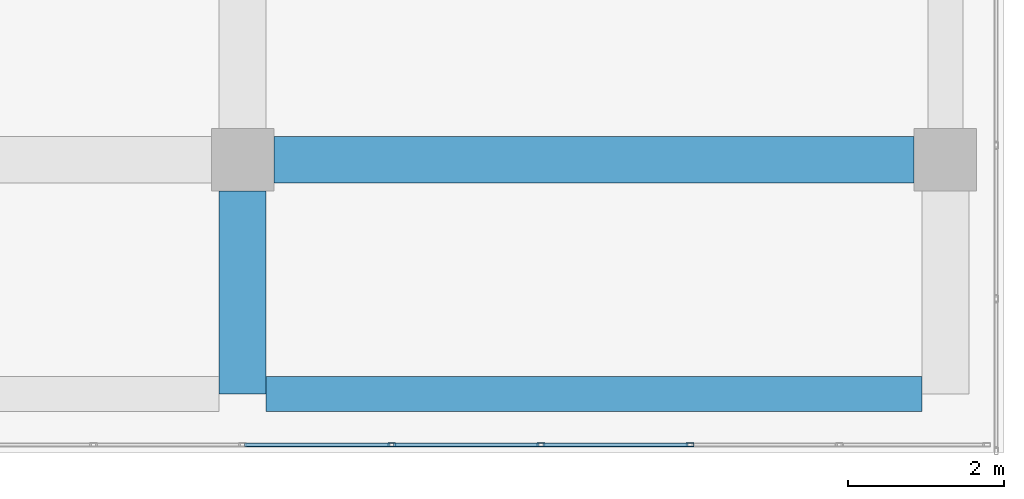
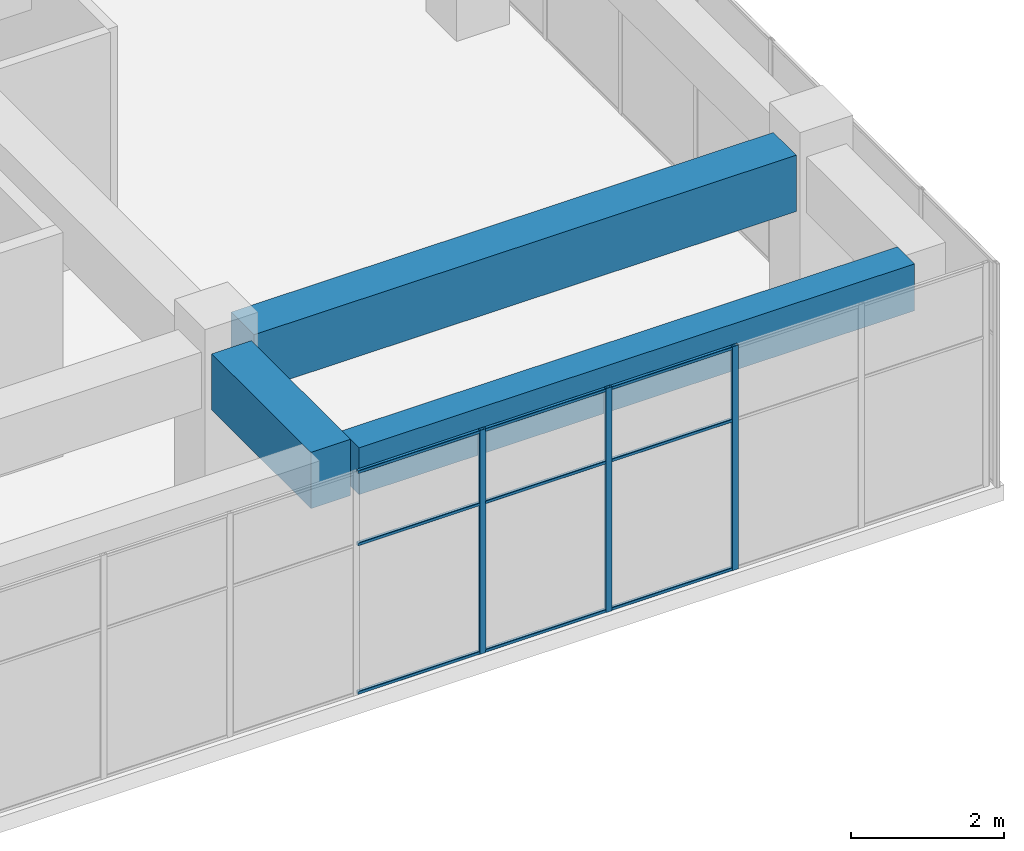
# One storey, part 22 of 52: 12 members, 3 beams, 1 element without a shape of its own.
"""IFC4 building model written with IfcOpenShell, lengths in metres."""

from ifc_helpers import new_model, si_unit, direction, frame, origin, origin_2d, place, context, subcontext, project, spatial, rectangle, hollow_rectangle, extrude, material, layer, layer_set, material_profile, profile_set, type_object, element, aggregate, save


model = new_model("IFC4")

# Units and contexts
model_context = context("Model", 3, precision=1e-05, world=origin(), true_north=direction((0.0, 1.0)))
body_context = subcontext(model_context, "Body", "Model", "MODEL_VIEW")
ifc_project = project(units=[si_unit("LENGTHUNIT", "METRE"), si_unit("AREAUNIT", "SQUARE_METRE"), si_unit("VOLUMEUNIT", "CUBIC_METRE"), si_unit("PLANEANGLEUNIT", "RADIAN"), si_unit("MASSUNIT", "GRAM", prefix="KILO")], contexts=[model_context])

# Site, building, storey
site_placement = place(None, origin())
site = spatial("IfcSite", under=ifc_project, at=site_placement, CompositionType="ELEMENT")
building_placement = place(site_placement, origin())
building = spatial("IfcBuilding", under=site, at=building_placement, Name="Tuart Plaza Theatre", CompositionType="ELEMENT")
storey_placement = place(building_placement, frame((0.0, 0.0, 25.5)))
storey = spatial("IfcBuildingStorey", under=building, at=storey_placement, Name="L06", CompositionType="ELEMENT", Elevation=25.5)

# Beams
ifc_material_1 = material(Name="Concrete N40 (40 MPa)", Category="concrete")
ifc_material_profile_1 = material_profile(ifc_material_1, rectangle(XDim=0.449951171875, YDim=0.75, at=origin_2d()), Name="BEAM 450x750 Concrete N40 (40 MPa)")
ifc_profile_set_1 = profile_set([ifc_material_profile_1], Name="Concrete N40 (40 MPa)")
beam_type_1 = type_object("IfcBeamType", Name="BEAM 450x750 Concrete N40 (40 MPa)", PredefinedType="BEAM", material=ifc_profile_set_1)
beam_1_placement = place(storey_placement, frame((141.300048828125, 53.0, 3.205078125), z_axis=(1.0, 0.0, 0.0), x_axis=(0.0, 1.0, 0.0)))
element("IfcBeam", 1, at=beam_1_placement, inside=storey, type_object=beam_type_1, Name="RB229", PredefinedType="BEAM", context=body_context, shape_type="SweptSolid", body=[
    extrude(rectangle(XDim=0.449951171875, YDim=0.75, at=origin_2d()), origin(), (0.0, 0.0, 1.0), 8.39990234375),
])
ifc_material_2 = material(Name="Concrete N40 (40 MPa)", Category="concrete")
ifc_material_profile_2 = material_profile(ifc_material_2, rectangle(XDim=0.60009765625, YDim=0.89990234375, at=origin_2d()), Name="BEAM 600x900 Concrete N40 (40 MPa)")
ifc_profile_set_2 = profile_set([ifc_material_profile_2], Name="Concrete N40 (40 MPa)")
beam_type_2 = type_object("IfcBeamType", Name="BEAM 600x900 Concrete N40 (40 MPa)", PredefinedType="BEAM", material=ifc_profile_set_2)
beam_2_placement = place(storey_placement, frame((141.0, 53.0, 3.1298828125), z_axis=(0.0, 1.0, 0.0), x_axis=(-1.0, 0.0, 0.0)))
element("IfcBeam", 2, at=beam_2_placement, inside=storey, type_object=beam_type_2, Name="RB228", PredefinedType="BEAM", context=body_context, shape_type="SweptSolid", body=[
    extrude(rectangle(XDim=0.60009765625, YDim=0.89990234375, at=origin_2d()), origin(), (0.0, 0.0, 1.0), 2.60009765625),
])
beam_3_placement = place(storey_placement, frame((141.39990234375, 56.0, 3.1298828125), z_axis=(1.0, 0.0, 0.0), x_axis=(0.0, 1.0, 0.0)))
element("IfcBeam", 3, at=beam_3_placement, inside=storey, type_object=beam_type_2, Name="RB231", PredefinedType="BEAM", context=body_context, shape_type="SweptSolid", body=[
    extrude(rectangle(XDim=0.60009765625, YDim=0.89990234375, at=origin_2d()), origin(), (0.0, 0.0, 1.0), 8.2001953125),
])

# Curtain wall, members
ifc_material_3 = material(Name="Aluminium and glass", Category="aluminium")
ifc_layer = layer(ifc_material_3, 0.10009765625)
ifc_layer_set = layer_set([ifc_layer], Name="CURTAIN WALL 2000 module")
curtain_wall_type = type_object("IfcCurtainWallType", Name="CURTAIN WALL 2000 module", PredefinedType="NOTDEFINED", material=ifc_layer_set)
curtain_wall_placement = place(storey_placement, origin())
curtain_wall = element("IfcCurtainWall", 4, at=curtain_wall_placement, inside=storey, type_object=curtain_wall_type, Name="CW76", PredefinedType="NOTDEFINED")
ifc_material_4 = material(Name="Aluminium 6063-T5", Category="aluminium")
ifc_material_profile_3 = material_profile(ifc_material_4, hollow_rectangle(XDim=0.050048828125, YDim=0.10009765625, WallThickness=0.00390625, InnerFilletRadius=0.00390625, OuterFilletRadius=0.008056640625, at=origin_2d()), Name="RHS 100x50x4")
ifc_profile_set_3 = profile_set([ifc_material_profile_3], Name="Aluminium 6063-T5")
member_type_1 = type_object("IfcMemberType", Name="MULLION RHS 100x50x4", PredefinedType="MULLION", material=ifc_profile_set_3)
member_1_placement = place(storey_placement, frame((142.909912109375, 52.35009765625, 0.0), z_axis=(0.0, 0.0, 1.0), x_axis=(0.0, 1.0, 0.0)))
member_1 = element("IfcMember", 5, at=member_1_placement, type_object=member_type_1, Name="CW76 mullion 7", PredefinedType="MULLION", context=body_context, shape_type="SweptSolid", body=[
    extrude(hollow_rectangle(XDim=0.050048828125, YDim=0.10009765625, WallThickness=0.00390625, InnerFilletRadius=0.00390625, OuterFilletRadius=0.008056640625, at=origin_2d()), origin(), (0.0, 0.0, 1.0), 3.580078125),
])
member_2_placement = place(storey_placement, frame((144.820068359375, 52.35009765625, 0.0), z_axis=(0.0, 0.0, 1.0), x_axis=(0.0, 1.0, 0.0)))
member_2 = element("IfcMember", 6, at=member_2_placement, type_object=member_type_1, Name="CW76 mullion 8", PredefinedType="MULLION", context=body_context, shape_type="SweptSolid", body=[
    extrude(hollow_rectangle(XDim=0.050048828125, YDim=0.10009765625, WallThickness=0.00390625, InnerFilletRadius=0.00390625, OuterFilletRadius=0.008056640625, at=origin_2d()), origin(), (0.0, 0.0, 1.0), 3.580078125),
])
member_3_placement = place(storey_placement, frame((146.72998046875, 52.35009765625, 0.0), z_axis=(0.0, 0.0, 1.0), x_axis=(0.0, 1.0, 0.0)))
member_3 = element("IfcMember", 7, at=member_3_placement, type_object=member_type_1, Name="CW76 mullion 9", PredefinedType="MULLION", context=body_context, shape_type="SweptSolid", body=[
    extrude(hollow_rectangle(XDim=0.050048828125, YDim=0.10009765625, WallThickness=0.00390625, InnerFilletRadius=0.00390625, OuterFilletRadius=0.008056640625, at=origin_2d()), origin(), (0.0, 0.0, 1.0), 3.580078125),
])
ifc_material_5 = material(Name="Aluminium 6063-T5", Category="aluminium")
ifc_material_profile_4 = material_profile(ifc_material_5, hollow_rectangle(XDim=0.050048828125, YDim=0.050048828125, WallThickness=0.00390625, InnerFilletRadius=0.00390625, OuterFilletRadius=0.008056640625, at=origin_2d()), Name="RHS 50x50x4")
ifc_profile_set_4 = profile_set([ifc_material_profile_4], Name="Aluminium 6063-T5")
member_type_2 = type_object("IfcMemberType", Name="TRANSOM RHS 50x50x4", PredefinedType="USERDEFINED", material=ifc_profile_set_4)
member_4_placement = place(storey_placement, frame((141.02490234375, 52.35009765625, 0.02490234375), z_axis=(1.0, 0.0, 0.0), x_axis=(0.0, 1.0, 0.0)))
member_4 = element("IfcMember", 8, at=member_4_placement, type_object=member_type_2, Name="CW76 transom 6.1", ObjectType="TRANSOM", PredefinedType="USERDEFINED", context=body_context, shape_type="SweptSolid", body=[
    extrude(hollow_rectangle(XDim=0.050048828125, YDim=0.050048828125, WallThickness=0.00390625, InnerFilletRadius=0.00390625, OuterFilletRadius=0.008056640625, at=origin_2d()), origin(), (0.0, 0.0, 1.0), 1.860107421875),
])
member_5_placement = place(storey_placement, frame((141.02490234375, 52.35009765625, 2.39990234375), z_axis=(1.0, 0.0, 0.0), x_axis=(0.0, 1.0, 0.0)))
member_5 = element("IfcMember", 9, at=member_5_placement, type_object=member_type_2, Name="CW76 transom 6.2", ObjectType="TRANSOM", PredefinedType="USERDEFINED", context=body_context, shape_type="SweptSolid", body=[
    extrude(hollow_rectangle(XDim=0.050048828125, YDim=0.050048828125, WallThickness=0.00390625, InnerFilletRadius=0.00390625, OuterFilletRadius=0.008056640625, at=origin_2d()), origin(), (0.0, 0.0, 1.0), 1.860107421875),
])
member_6_placement = place(storey_placement, frame((141.02490234375, 52.35009765625, 3.554931640625), z_axis=(1.0, 0.0, 0.0), x_axis=(0.0, 1.0, 0.0)))
member_6 = element("IfcMember", 10, at=member_6_placement, type_object=member_type_2, Name="CW76 transom 6.3", ObjectType="TRANSOM", PredefinedType="USERDEFINED", context=body_context, shape_type="SweptSolid", body=[
    extrude(hollow_rectangle(XDim=0.050048828125, YDim=0.050048828125, WallThickness=0.00390625, InnerFilletRadius=0.00390625, OuterFilletRadius=0.008056640625, at=origin_2d()), origin(), (0.0, 0.0, 1.0), 1.860107421875),
])
member_7_placement = place(storey_placement, frame((142.93505859375, 52.35009765625, 0.02490234375), z_axis=(1.0, 0.0, 0.0), x_axis=(0.0, 1.0, 0.0)))
member_7 = element("IfcMember", 11, at=member_7_placement, type_object=member_type_2, Name="CW76 transom 7.1", ObjectType="TRANSOM", PredefinedType="USERDEFINED", context=body_context, shape_type="SweptSolid", body=[
    extrude(hollow_rectangle(XDim=0.050048828125, YDim=0.050048828125, WallThickness=0.00390625, InnerFilletRadius=0.00390625, OuterFilletRadius=0.008056640625, at=origin_2d()), origin(), (0.0, 0.0, 1.0), 1.85986328125),
])
member_8_placement = place(storey_placement, frame((142.93505859375, 52.35009765625, 2.39990234375), z_axis=(1.0, 0.0, 0.0), x_axis=(0.0, 1.0, 0.0)))
member_8 = element("IfcMember", 12, at=member_8_placement, type_object=member_type_2, Name="CW76 transom 7.2", ObjectType="TRANSOM", PredefinedType="USERDEFINED", context=body_context, shape_type="SweptSolid", body=[
    extrude(hollow_rectangle(XDim=0.050048828125, YDim=0.050048828125, WallThickness=0.00390625, InnerFilletRadius=0.00390625, OuterFilletRadius=0.008056640625, at=origin_2d()), origin(), (0.0, 0.0, 1.0), 1.85986328125),
])
member_9_placement = place(storey_placement, frame((142.93505859375, 52.35009765625, 3.554931640625), z_axis=(1.0, 0.0, 0.0), x_axis=(0.0, 1.0, 0.0)))
member_9 = element("IfcMember", 13, at=member_9_placement, type_object=member_type_2, Name="CW76 transom 7.3", ObjectType="TRANSOM", PredefinedType="USERDEFINED", context=body_context, shape_type="SweptSolid", body=[
    extrude(hollow_rectangle(XDim=0.050048828125, YDim=0.050048828125, WallThickness=0.00390625, InnerFilletRadius=0.00390625, OuterFilletRadius=0.008056640625, at=origin_2d()), origin(), (0.0, 0.0, 1.0), 1.85986328125),
])
member_10_placement = place(storey_placement, frame((144.844970703125, 52.35009765625, 0.02490234375), z_axis=(1.0, 0.0, 0.0), x_axis=(0.0, 1.0, 0.0)))
member_10 = element("IfcMember", 14, at=member_10_placement, type_object=member_type_2, Name="CW76 transom 8.1", ObjectType="TRANSOM", PredefinedType="USERDEFINED", context=body_context, shape_type="SweptSolid", body=[
    extrude(hollow_rectangle(XDim=0.050048828125, YDim=0.050048828125, WallThickness=0.00390625, InnerFilletRadius=0.00390625, OuterFilletRadius=0.008056640625, at=origin_2d()), origin(), (0.0, 0.0, 1.0), 1.860107421875),
])
member_11_placement = place(storey_placement, frame((144.844970703125, 52.35009765625, 2.39990234375), z_axis=(1.0, 0.0, 0.0), x_axis=(0.0, 1.0, 0.0)))
member_11 = element("IfcMember", 15, at=member_11_placement, type_object=member_type_2, Name="CW76 transom 8.2", ObjectType="TRANSOM", PredefinedType="USERDEFINED", context=body_context, shape_type="SweptSolid", body=[
    extrude(hollow_rectangle(XDim=0.050048828125, YDim=0.050048828125, WallThickness=0.00390625, InnerFilletRadius=0.00390625, OuterFilletRadius=0.008056640625, at=origin_2d()), origin(), (0.0, 0.0, 1.0), 1.860107421875),
])
member_12_placement = place(storey_placement, frame((144.844970703125, 52.35009765625, 3.554931640625), z_axis=(1.0, 0.0, 0.0), x_axis=(0.0, 1.0, 0.0)))
member_12 = element("IfcMember", 16, at=member_12_placement, type_object=member_type_2, Name="CW76 transom 8.3", ObjectType="TRANSOM", PredefinedType="USERDEFINED", context=body_context, shape_type="SweptSolid", body=[
    extrude(hollow_rectangle(XDim=0.050048828125, YDim=0.050048828125, WallThickness=0.00390625, InnerFilletRadius=0.00390625, OuterFilletRadius=0.008056640625, at=origin_2d()), origin(), (0.0, 0.0, 1.0), 1.860107421875),
])
aggregate(curtain_wall, [member_1, member_2, member_3, member_4, member_5, member_6, member_7, member_8, member_9, member_10, member_11, member_12])

save(model, "model.ifc")
